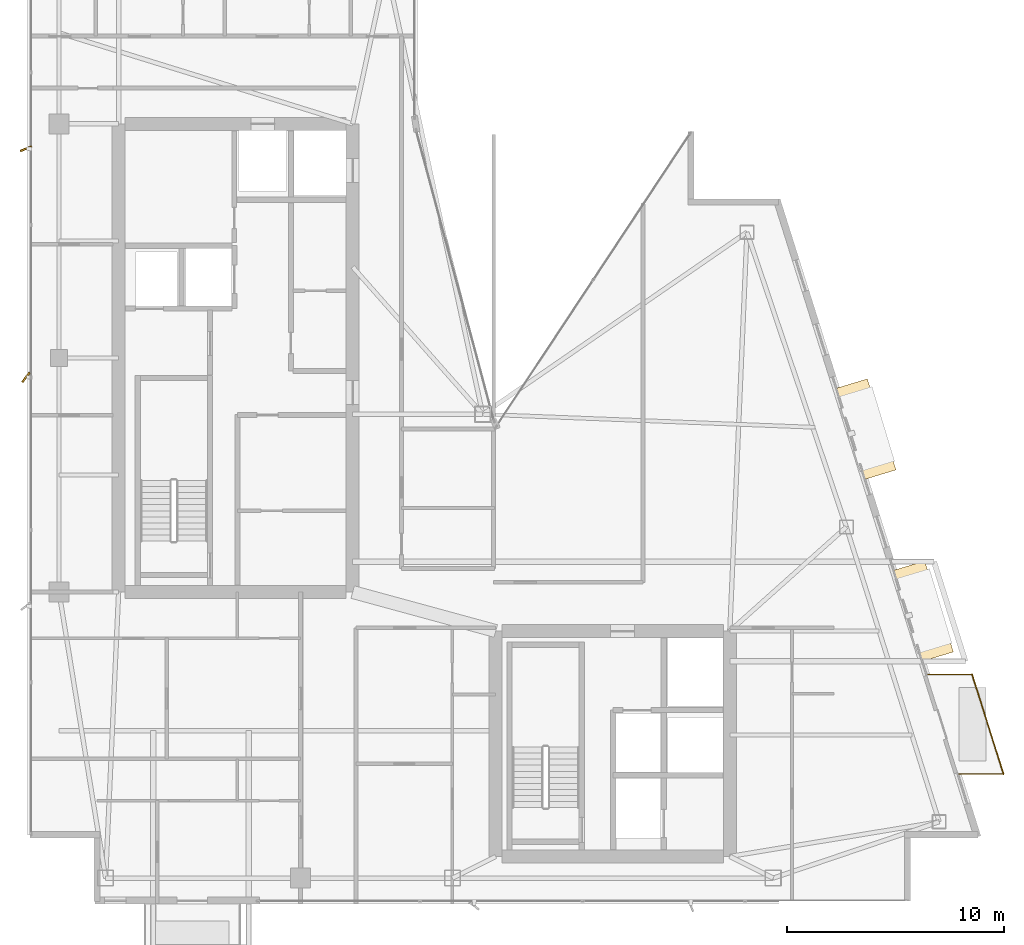
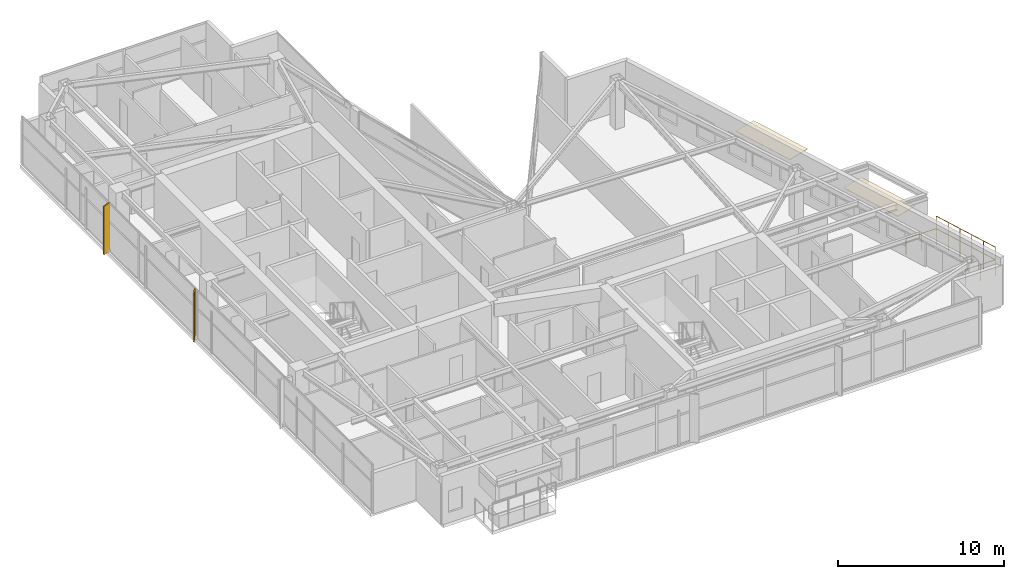
# One storey, part 28 of 28: 2 coverings, 2 railings, 2 shading devices.
"""IFC4 building model written with IfcOpenShell, lengths in metres."""

from ifc_helpers import new_model, si_unit, direction, frame, origin, origin_2d, place, context, subcontext, project, spatial, polyline, rectangle, circle, outline, extrude, material, layer, layer_set, type_object, element, save


model = new_model("IFC4")

# Units and contexts
model_context = context("Model", 3, precision=1e-05, world=origin(), true_north=direction((0.0, 1.0)))
body_context = subcontext(model_context, "Body", "Model", "MODEL_VIEW")
ifc_project = project(units=[si_unit("LENGTHUNIT", "METRE"), si_unit("AREAUNIT", "SQUARE_METRE"), si_unit("VOLUMEUNIT", "CUBIC_METRE"), si_unit("PLANEANGLEUNIT", "RADIAN"), si_unit("MASSUNIT", "GRAM", prefix="KILO")], contexts=[model_context])

# Site, building, storey
site_placement = place(None, origin())
site = spatial("IfcSite", under=ifc_project, at=site_placement, CompositionType="ELEMENT")
building_placement = place(site_placement, origin())
building = spatial("IfcBuilding", under=site, at=building_placement, Name="Calvorn Quay Hotel", CompositionType="ELEMENT")
storey_placement = place(building_placement, frame((0.0, 0.0, 267.300048828125)))
storey = spatial("IfcBuildingStorey", under=building, at=storey_placement, Name="L66", CompositionType="ELEMENT", Elevation=267.300048828125)

# Coverings
ifc_material_1 = material(Name="Pale Anodised Aluminium Rainscreen Cladding", Category="aluminium")
ifc_layer = layer(ifc_material_1, 0.044921875)
ifc_layer_set = layer_set([ifc_layer], Name="COV-CROWN-CLAD")
covering_type = type_object("IfcCoveringType", Name="COV-CROWN-CLAD", PredefinedType="CLADDING", material=ifc_layer_set)
covering_1_placement = place(storey_placement, frame((0.0, 0.0, 2.5048828125)))
element("IfcCovering", 1, at=covering_1_placement, inside=storey, type_object=covering_type, Name="Angled Bay Hood Canopy L66-HOOD-2", PredefinedType="CLADDING", context=body_context, shape_type="SweptSolid", body=[
    extrude(outline(polyline([(39.91796875, 17.7880859375), (41.39208984375, 18.235107421875), (42.715087890625, 14.034912109375), (41.240966796875, 13.587890625), (39.91796875, 17.7880859375)])), origin(), (0.0, 0.0, 1.0), 0.045166015625),
])
covering_2_placement = place(storey_placement, frame((0.0, 0.0, 2.5048828125)))
element("IfcCovering", 2, at=covering_2_placement, inside=storey, type_object=covering_type, Name="Angled Bay Hood Canopy L66-HOOD-3", PredefinedType="CLADDING", context=body_context, shape_type="SweptSolid", body=[
    extrude(outline(polyline([(37.27197265625, 26.18798828125), (38.7451171875, 26.635009765625), (40.069091796875, 22.43505859375), (38.594970703125, 21.988037109375), (37.27197265625, 26.18798828125)])), origin(), (0.0, 0.0, 1.0), 0.045166015625),
])

# Railings
ifc_material_2 = material(Name="Pale Anodised Aluminium and Laminated Glass", Category="aluminium")
railing_type = type_object("IfcRailingType", Name="RLG-BALUSTRADE-1200", PredefinedType="BALUSTRADE", material=ifc_material_2)
railing_1_placement = place(storey_placement, frame((42.927978515625, 8.39990234375, 0.0)))
element("IfcRailing", 3, at=railing_1_placement, inside=storey, type_object=railing_type, Name="Tree Balcony Perimeter Balustrade L66-BALC-E", PredefinedType="BALUSTRADE", context=body_context, shape_type="SweptSolid", body=[
    extrude(circle(Radius=0.02392578125, at=origin_2d()), frame((0.0, 0.0, 1.17578125), z_axis=(1.0, 0.0, 0.0), x_axis=(0.0, 1.0, 0.0)), (0.0, 0.0, 1.0), 2.10009765625),
    extrude(circle(Radius=0.02392578125, at=origin_2d()), frame((2.10009765625, 0.0, 1.17578125), z_axis=(-0.300666214801, 0.953729430854, 0.0), x_axis=(-0.953729430854, -0.300666214801, 0.0)), (0.0, 0.0, 1.0), 4.8232421875),
    extrude(circle(Radius=0.02392578125, at=origin_2d()), frame((0.64990234375, 4.60009765625, 1.17578125), z_axis=(-1.0, 0.0, 0.0), x_axis=(0.0, -1.0, 0.0)), (0.0, 0.0, 1.0), 2.099853515625),
    extrude(circle(Radius=0.02099609375, at=origin_2d()), origin(), (0.0, 0.0, 1.0), 1.15185546875),
    extrude(circle(Radius=0.02099609375, at=origin_2d()), frame((1.050048828125, 0.0, 0.0)), (0.0, 0.0, 1.0), 1.15185546875),
    extrude(circle(Radius=0.02099609375, at=origin_2d()), frame((2.10009765625, 0.0, 0.0)), (0.0, 0.0, 1.0), 1.15185546875),
    extrude(circle(Radius=0.02099609375, at=origin_2d()), frame((1.81005859375, 0.919921875, 0.0)), (0.0, 0.0, 1.0), 1.15185546875),
    extrude(circle(Radius=0.02099609375, at=origin_2d()), frame((1.52001953125, 1.840087890625, 0.0)), (0.0, 0.0, 1.0), 1.15185546875),
    extrude(circle(Radius=0.02099609375, at=origin_2d()), frame((1.22998046875, 2.760009765625, 0.0)), (0.0, 0.0, 1.0), 1.15185546875),
    extrude(circle(Radius=0.02099609375, at=origin_2d()), frame((0.93994140625, 3.68017578125, 0.0)), (0.0, 0.0, 1.0), 1.15185546875),
    extrude(circle(Radius=0.02099609375, at=origin_2d()), frame((0.64990234375, 4.60009765625, 0.0)), (0.0, 0.0, 1.0), 1.15185546875),
    extrude(circle(Radius=0.02099609375, at=origin_2d()), frame((-0.39990234375, 4.60009765625, 0.0)), (0.0, 0.0, 1.0), 1.15185546875),
    extrude(circle(Radius=0.02099609375, at=origin_2d()), frame((-1.449951171875, 4.60009765625, 0.0)), (0.0, 0.0, 1.0), 1.15185546875),
])
railing_2_placement = place(storey_placement, frame((45.028076171875, 8.39990234375, 0.89990234375)))
element("IfcRailing", 4, at=railing_2_placement, inside=storey, type_object=railing_type, Name="Planter Kerb High Safety Screen L66-BALC-E", PredefinedType="BALUSTRADE", context=body_context, shape_type="SweptSolid", body=[
    extrude(circle(Radius=0.02392578125, at=origin_2d()), frame((0.0, 0.0, 1.19580078125), z_axis=(-0.300666214801, 0.953729430854, 0.0), x_axis=(-0.953729430854, -0.300666214801, 0.0)), (0.0, 0.0, 1.0), 4.8232421875),
    extrude(circle(Radius=0.02099609375, at=origin_2d()), origin(), (0.0, 0.0, 1.0), 1.171875),
    extrude(circle(Radius=0.02099609375, at=origin_2d()), frame((-0.2900390625, 0.919921875, 0.0)), (0.0, 0.0, 1.0), 1.171875),
    extrude(circle(Radius=0.02099609375, at=origin_2d()), frame((-0.580078125, 1.840087890625, 0.0)), (0.0, 0.0, 1.0), 1.171875),
    extrude(circle(Radius=0.02099609375, at=origin_2d()), frame((-0.8701171875, 2.760009765625, 0.0)), (0.0, 0.0, 1.0), 1.171875),
    extrude(circle(Radius=0.02099609375, at=origin_2d()), frame((-1.16015625, 3.68017578125, 0.0)), (0.0, 0.0, 1.0), 1.171875),
    extrude(circle(Radius=0.02099609375, at=origin_2d()), frame((-1.4501953125, 4.60009765625, 0.0)), (0.0, 0.0, 1.0), 1.171875),
])

# Shading devices
ifc_material_3 = material(Name="Champagne Bronze Anodised Aluminium 6063-T6", Category="aluminium")
shading_device_type_1 = type_object("IfcShadingDeviceType", Name="SHD-FIN-A1", PredefinedType="USERDEFINED", material=ifc_material_3)
shading_device_1_placement = place(storey_placement, frame((-0.080078125, 37.25, 0.0), z_axis=(0.0, 0.0, 1.0), x_axis=(0.927183854567, 0.374606593416, 0.0)))
element("IfcShadingDevice", 5, at=shading_device_1_placement, inside=storey, type_object=shading_device_type_1, Name="Diagonal Sun-Shading Fin L66-W03", ObjectType="FIN", PredefinedType="USERDEFINED", context=body_context, shape_type="SweptSolid", body=[
    extrude(rectangle(XDim=0.550048828125, YDim=0.080078125, at=origin_2d()), origin(), (0.0, 0.0, 1.0), 3.56005859375),
])
ifc_material_4 = material(Name="Champagne Bronze Anodised Aluminium 6063-T6", Category="aluminium")
shading_device_type_2 = type_object("IfcShadingDeviceType", Name="SHD-FIN-A3", PredefinedType="USERDEFINED", material=ifc_material_4)
shading_device_2_placement = place(storey_placement, frame((-0.080078125, 26.699951171875, 0.0), z_axis=(0.0, 0.0, 1.0), x_axis=(0.587785252292, 0.809016994375, 0.0)))
element("IfcShadingDevice", 6, at=shading_device_2_placement, inside=storey, type_object=shading_device_type_2, Name="Diagonal Sun-Shading Fin L66-W02", ObjectType="FIN", PredefinedType="USERDEFINED", context=body_context, shape_type="SweptSolid", body=[
    extrude(rectangle(XDim=0.550048828125, YDim=0.080078125, at=origin_2d()), origin(), (0.0, 0.0, 1.0), 3.56005859375),
])

save(model, "model.ifc")
